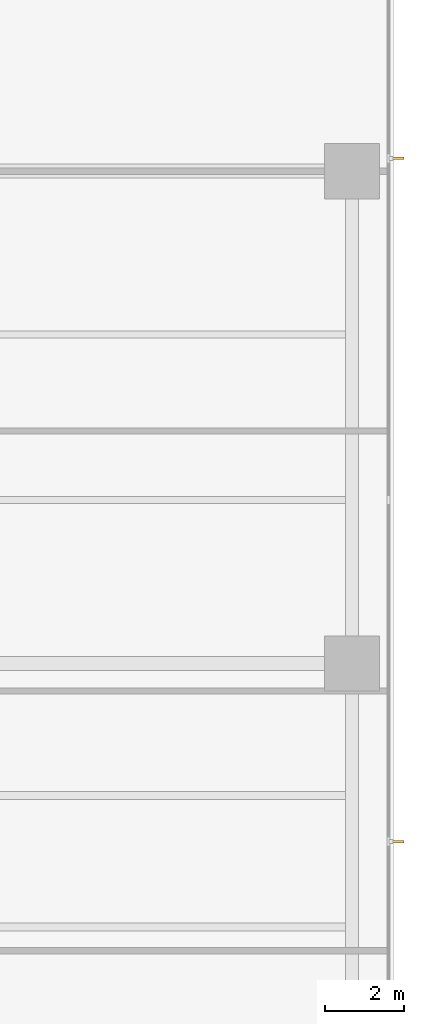
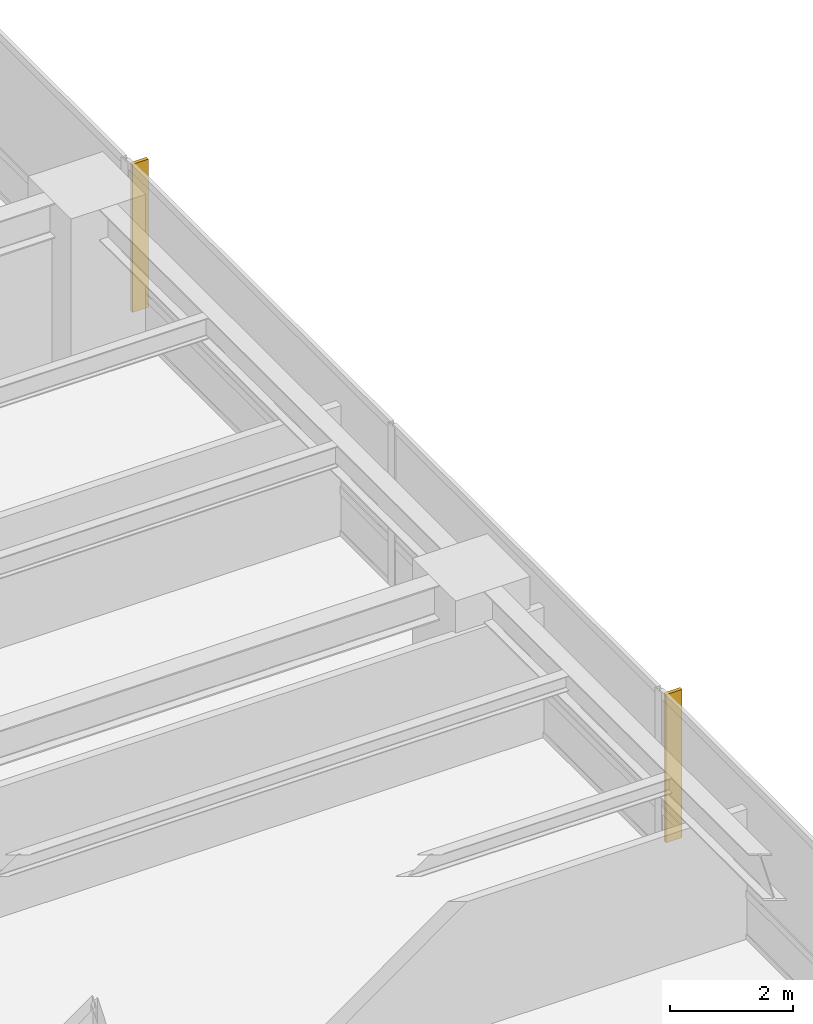
# One storey, part 16 of 17: 2 shading devices.
"""IFC4 building model written with IfcOpenShell, lengths in metres."""

from ifc_helpers import new_model, si_unit, direction, frame, origin, place, context, subcontext, project, spatial, polyline, outline, extrude, material, layer, layer_set, type_object, element, save


model = new_model("IFC4")

# Units and contexts
model_context = context("Model", 3, precision=1e-05, world=origin(), true_north=direction((0.0, 1.0)))
body_context = subcontext(model_context, "Body", "Model", "MODEL_VIEW")
ifc_project = project(units=[si_unit("LENGTHUNIT", "METRE"), si_unit("AREAUNIT", "SQUARE_METRE"), si_unit("VOLUMEUNIT", "CUBIC_METRE"), si_unit("PLANEANGLEUNIT", "RADIAN"), si_unit("MASSUNIT", "GRAM", prefix="KILO")], contexts=[model_context])

# Site, building, storey
site_placement = place(None, origin())
site = spatial("IfcSite", under=ifc_project, at=site_placement, CompositionType="ELEMENT")
building_placement = place(site_placement, origin())
building = spatial("IfcBuilding", under=site, at=building_placement, Name="Qalmaran Belvedere Hotel", CompositionType="ELEMENT")
storey_placement = place(building_placement, frame((0.0, 0.0, 68.39990234375)))
storey = spatial("IfcBuildingStorey", under=building, at=storey_placement, Name="L17", CompositionType="ELEMENT", Elevation=68.39990234375)

# Shading devices
ifc_material = material(Name="Anodised Bronze Aluminium", Category="aluminium")
ifc_layer = layer(ifc_material, 0.06494140625, Name="Anodised Bronze Aluminium")
ifc_layer_set = layer_set([ifc_layer], Name="Anodised Bronze Aluminium")
shading_device_type = type_object("IfcShadingDeviceType", Name="FIN-BRNZ-300", PredefinedType="USERDEFINED", material=ifc_layer_set)
shading_device_1_placement = place(storey_placement, frame((0.0, 0.0, 0.16015625)))
element("IfcShadingDevice", 1, at=shading_device_1_placement, inside=storey, type_object=shading_device_type, Name="L17 Bronze Fin 1", ObjectType="FIN", PredefinedType="USERDEFINED", context=body_context, shape_type="SweptSolid", body=[
    extrude(outline(polyline([(61.7724609375, 15.9423828125), (62.072509765625, 15.9423828125), (62.072509765625, 16.007568359375), (61.7724609375, 16.007568359375), (61.7724609375, 15.9423828125)])), origin(), (0.0, 0.0, 1.0), 2.93994140625),
])
shading_device_2_placement = place(storey_placement, frame((0.0, 0.0, 0.16015625)))
element("IfcShadingDevice", 2, at=shading_device_2_placement, inside=storey, type_object=shading_device_type, Name="L17 Bronze Fin 3", ObjectType="FIN", PredefinedType="USERDEFINED", context=body_context, shape_type="SweptSolid", body=[
    extrude(outline(polyline([(61.7724609375, 33.29248046875), (62.072509765625, 33.29248046875), (62.072509765625, 33.357421875), (61.7724609375, 33.357421875), (61.7724609375, 33.29248046875)])), origin(), (0.0, 0.0, 1.0), 2.93994140625),
])

save(model, "model.ifc")
